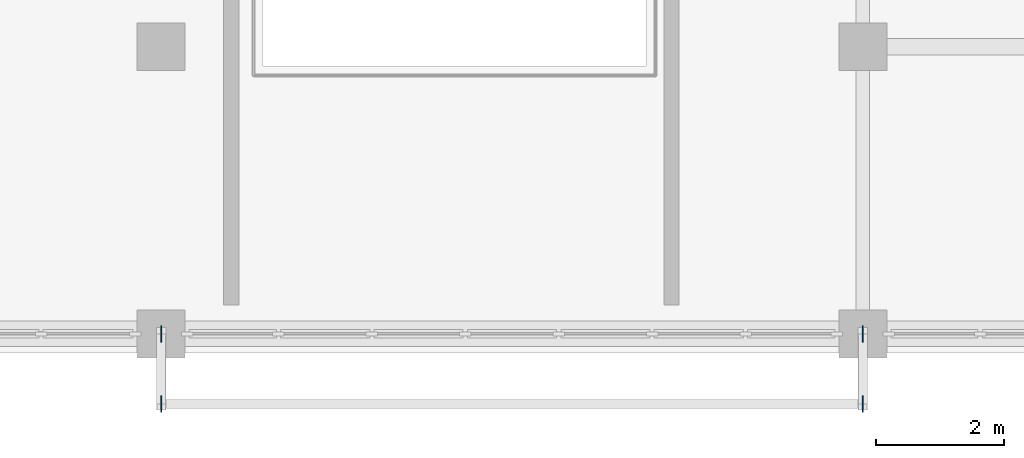
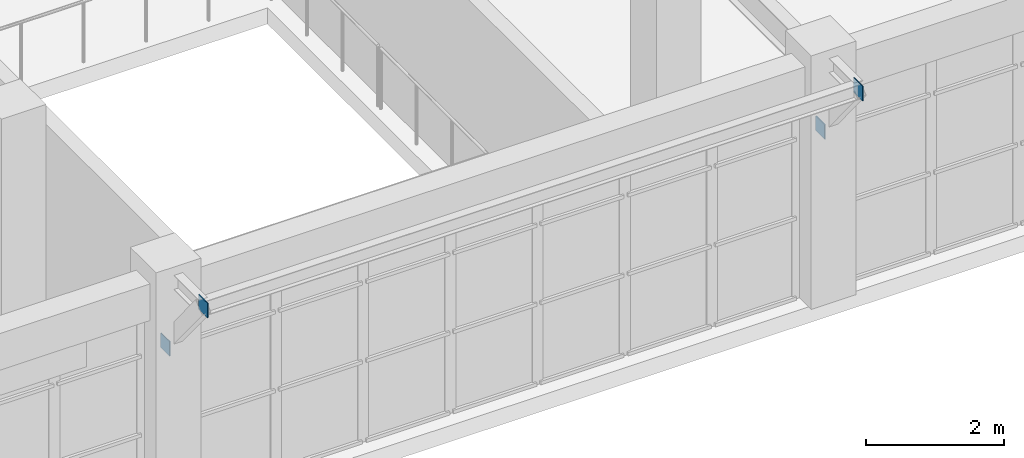
# One storey, part 63 of 85: 4 plates.
"""IFC4 building model written with IfcOpenShell, lengths in metres."""

import ifcopenshell
import ifcopenshell.guid

model = None  # the IFC model being written
_history = None  # IfcOwnerHistory: only IFC2X3 demands one
_inside = {}  # id of a spatial element -> (the spatial element, [elements in it])
_under = {}  # id of a project, library or spatial element -> (it, [spatial elements below it])
_declared = {}  # id of a project -> (the project, [libraries it declares])
_typed = {}  # id of a type object -> (the type object, [elements of that type])
_made_of = {}  # id of a material, layer set ... -> (it, [elements and type objects made of it])


def new_model(schema):
    """Start an empty IFC model of exactly this schema.

    Asked for "IFC4X3", IfcOpenShell would pick the latest addendum, in which some entities
    have other attributes; the version numbers below select the first issue.
    IFC2X3 requires an IfcOwnerHistory on every rooted entity: one is made here for all.
    """
    global model, _history
    if schema == "IFC4X3":
        model = ifcopenshell.file(schema_version=(4, 3, 0, 0))
    else:
        model = ifcopenshell.file(schema=schema)
    _inside.clear()
    _under.clear()
    _declared.clear()
    _typed.clear()
    _made_of.clear()
    _history = None
    if model.schema == "IFC2X3":
        org = make("IfcOrganization", Name="unknown")
        user = make(
            "IfcPersonAndOrganization",
            ThePerson=make("IfcPerson", FamilyName="unknown"),
            TheOrganization=org,
        )
        app = make(
            "IfcApplication",
            ApplicationDeveloper=org,
            Version="unknown",
            ApplicationFullName="unknown",
            ApplicationIdentifier="unknown",
        )
        _history = make(
            "IfcOwnerHistory",
            OwningUser=user,
            OwningApplication=app,
            ChangeAction="ADDED",
            CreationDate=0,
        )
    return model


def make(cls, **values):
    """One entity of the class cls with the attributes given. An attribute that is None is left unset."""
    return model.create_entity(
        cls, **{name: value for name, value in values.items() if value is not None}
    )


def rooted(cls, **values):
    """An entity with a GlobalId (a new one), such as an element, a storey or a relation."""
    return make(cls, GlobalId=ifcopenshell.guid.new(), OwnerHistory=_history, **values)


def si_unit(unit_type, name, prefix=None):
    """IfcSIUnit, for example si_unit("LENGTHUNIT", "METRE", prefix="MILLI")."""
    return make("IfcSIUnit", UnitType=unit_type, Prefix=prefix, Name=name)


def assignment(units):
    """IfcUnitAssignment: the units of a project."""
    return None if units is None else make("IfcUnitAssignment", Units=units)


def point(xyz):
    """IfcCartesianPoint."""
    return None if xyz is None else make("IfcCartesianPoint", Coordinates=xyz)


def direction(xyz):
    """IfcDirection."""
    return None if xyz is None else make("IfcDirection", DirectionRatios=xyz)


def frame(location, z_axis=None, x_axis=None):
    """IfcAxis2Placement3D, a coordinate frame: its origin and axes. An axis left out is left unset."""
    return make(
        "IfcAxis2Placement3D",
        Location=point(location),
        Axis=direction(z_axis),
        RefDirection=direction(x_axis),
    )


def frame_2d(location, x_axis=None):
    """IfcAxis2Placement2D, a coordinate frame in the plane: its origin and x axis."""
    return make(
        "IfcAxis2Placement2D", Location=point(location), RefDirection=direction(x_axis)
    )


def origin():
    """The frame at (0, 0, 0) with its axes left unset."""
    return frame((0.0, 0.0, 0.0))


def origin_2d():
    """The frame at (0, 0) in the plane with its x axis left unset."""
    return frame_2d((0.0, 0.0))


def place(relative_to, where):
    """IfcLocalPlacement: puts the frame where relative to a parent placement (None: the world)."""
    return make(
        "IfcLocalPlacement", PlacementRelTo=relative_to, RelativePlacement=where
    )


def context(
    kind, dimensions, precision=None, world=None, true_north=None, identifier=None
):
    """IfcGeometricRepresentationContext, for example the 3D "Model" context."""
    return make(
        "IfcGeometricRepresentationContext",
        ContextIdentifier=identifier,
        ContextType=kind,
        CoordinateSpaceDimension=dimensions,
        Precision=precision,
        WorldCoordinateSystem=world,
        TrueNorth=true_north,
    )


def subcontext(parent, identifier, kind, view, scale=None):
    """IfcGeometricRepresentationSubContext, for example "Body" below "Model"."""
    return make(
        "IfcGeometricRepresentationSubContext",
        ContextIdentifier=identifier,
        ContextType=kind,
        ParentContext=parent,
        TargetScale=scale,
        TargetView=view,
    )


def project(units=None, contexts=None):
    """IfcProject with its units and contexts."""
    return rooted(
        "IfcProject",
        Name="project",
        RepresentationContexts=contexts,
        UnitsInContext=assignment(units),
    )


def spatial(cls, under=None, at=None, **own):
    """A site, building, storey or space (cls), placed at a placement, below another one or the project."""
    s = rooted(cls, ObjectPlacement=at, **own)
    if under is not None:
        _under.setdefault(under.id(), (under, []))[1].append(s)
    return s


def profile(cls, at=None, kind="AREA", **sizes):
    """A parametric profile (cls). Its sizes go by their IFC names, for example OverallWidth=200.0."""
    return make(cls, ProfileType=kind, Position=at, **sizes)


def rectangle(**sizes):
    """IfcRectangleProfileDef."""
    return profile("IfcRectangleProfileDef", **sizes)


def extrude(swept, where, along, depth):
    """IfcExtrudedAreaSolid: the profile swept, set in the frame where, extruded along a direction by depth."""
    return make(
        "IfcExtrudedAreaSolid",
        SweptArea=swept,
        Position=where,
        ExtrudedDirection=direction(along),
        Depth=depth,
    )


def shape(context_of_items, identifier, shape_type, items):
    """IfcShapeRepresentation: the items that make up one representation, for example the "Body"."""
    return make(
        "IfcShapeRepresentation",
        ContextOfItems=context_of_items,
        RepresentationIdentifier=identifier,
        RepresentationType=shape_type,
        Items=items,
    )


def material(Name=None, Category=None):
    """IfcMaterial."""
    return make("IfcMaterial", Name=Name, Category=Category)


def layer(
    of_material, thickness, ventilated=None, Name=None, Category=None, Priority=None
):
    """IfcMaterialLayer: one layer of a wall or slab, of a material (None: an air gap)."""
    return make(
        "IfcMaterialLayer",
        Material=of_material,
        LayerThickness=thickness,
        IsVentilated=ventilated,
        Name=Name,
        Category=Category,
        Priority=Priority,
    )


def layer_set(layers, Name=None):
    """IfcMaterialLayerSet."""
    return make("IfcMaterialLayerSet", MaterialLayers=layers, LayerSetName=Name)


def made_of(thing, what):
    """Note that an element or type object is made of a material, layer set ...; save() writes the relation."""
    if what is not None:
        _made_of.setdefault(what.id(), (what, []))[1].append(thing)
    return thing


def type_object(cls, material=None, **own):
    """A type object (cls), such as IfcWallType, which elements share."""
    return made_of(rooted(cls, **own), material)


def element(
    cls,
    number,
    at=None,
    inside=None,
    cuts=None,
    type_object=None,
    material=None,
    context=None,
    identifier="Body",
    shape_type=None,
    held_by="IfcProductDefinitionShape",
    body=None,
    shapes=None,
    **own,
):
    """One element of the class cls, such as IfcWall. Its Tag is "e" and its number.

    at: its placement. inside: the storey or other place that contains it. cuts: it is an
    opening in that element (IfcRelVoidsElement). A single representation is given by context,
    identifier, shape_type and body (its items); several are given by shapes. held_by: the class
    of the entity that holds the representations. save() writes the other relations.
    """
    e = rooted(cls, Tag="e%d" % number, ObjectPlacement=at, **own)
    if body is not None:
        shapes = [shape(context, identifier, shape_type, body)]
    if shapes is not None:
        e.Representation = make(held_by, Representations=shapes)
    if inside is not None:
        _inside.setdefault(inside.id(), (inside, []))[1].append(e)
    if cuts is not None:
        rooted(
            "IfcRelVoidsElement", RelatingBuildingElement=cuts, RelatedOpeningElement=e
        )
    if type_object is not None:
        _typed.setdefault(type_object.id(), (type_object, []))[1].append(e)
    return made_of(e, material)


def aggregate(whole, parts):
    """IfcRelAggregates: a whole, such as a stair, and the parts it consists of."""
    return rooted("IfcRelAggregates", RelatingObject=whole, RelatedObjects=parts)


def save(model, path):
    """Write the relations noted so far, then the file.

    IfcRelAggregates (storeys below a building ...), IfcRelContainedInSpatialStructure (elements
    in a storey), IfcRelDefinesByType, IfcRelAssociatesMaterial and IfcRelDeclares: one each for
    every whole, place, type object, material and project.
    """
    for whole, parts in _under.values():
        aggregate(whole, parts)
    for where, things in _inside.values():
        rooted(
            "IfcRelContainedInSpatialStructure",
            RelatedElements=things,
            RelatingStructure=where,
        )
    for kind, things in _typed.values():
        rooted("IfcRelDefinesByType", RelatedObjects=things, RelatingType=kind)
    for what, things in _made_of.values():
        rooted("IfcRelAssociatesMaterial", RelatedObjects=things, RelatingMaterial=what)
    for by, libraries in _declared.values():
        rooted("IfcRelDeclares", RelatingContext=by, RelatedDefinitions=libraries)
    model.write(path)


model = new_model("IFC4")

# Units and contexts
model_context = context("Model", 3, precision=1e-05, world=origin(), true_north=direction((0.0, 1.0)))
body_context = subcontext(model_context, "Body", "Model", "MODEL_VIEW")
ifc_project = project(units=[si_unit("LENGTHUNIT", "METRE"), si_unit("AREAUNIT", "SQUARE_METRE"), si_unit("VOLUMEUNIT", "CUBIC_METRE"), si_unit("PLANEANGLEUNIT", "RADIAN"), si_unit("MASSUNIT", "GRAM", prefix="KILO")], contexts=[model_context])

# Site, building, storey
site_placement = place(None, origin())
site = spatial("IfcSite", under=ifc_project, at=site_placement, CompositionType="ELEMENT")
building_placement = place(site_placement, origin())
building = spatial("IfcBuilding", under=site, at=building_placement, Name="Candilejo Ridge Gondola Terminal", CompositionType="ELEMENT")
storey_placement = place(building_placement, frame((0.0, 0.0, 4.5)))
storey = spatial("IfcBuildingStorey", under=building, at=storey_placement, Name="L01", CompositionType="ELEMENT", Elevation=4.5)

# Plates
ifc_material = material(Name="Steel ASTM A572 Grade 50", Category="steel")
ifc_layer = layer(ifc_material, 0.01611328125)
ifc_layer_set = layer_set([ifc_layer], Name="STR-NODE-PLATE-260X260X16")
plate_type = type_object("IfcPlateType", Name="STR-NODE-PLATE-260X260X16", PredefinedType="USERDEFINED", material=ifc_layer_set)
for number, where, z_axis, x_axis, name in (
    (1, (150.0, 6.300048828125, 2.7412109375), (0.0, 0.0, 1.0), (1.0, 0.0, 0.0), "Canopy strut gusset plate 021"),
    (2, (150.0, 5.199951171875, 4.0908203125), (0.0, 0.0, 1.0), (1.0, 0.0, 0.0), "Canopy strut gusset plate 022"),
    (3, (161.0, 6.300048828125, 2.7412109375), (0.0, 0.0, 1.0), (1.0, 0.0, 0.0), "Canopy strut gusset plate 023"),
    (4, (161.0, 5.199951171875, 4.0908203125), (0.0, 0.0, 1.0), (1.0, 0.0, 0.0), "Canopy strut gusset plate 024"),
):
    element("IfcPlate", number, at=place(storey_placement, frame(where, z_axis=z_axis, x_axis=x_axis)), inside=storey, type_object=plate_type, Name=name, ObjectType="NODE PLATE", PredefinedType="USERDEFINED", context=body_context, shape_type="SweptSolid", body=[
        extrude(rectangle(XDim=0.01611328125, YDim=0.260009765625, at=origin_2d()), origin(), (0.0, 0.0, 1.0), 0.260009765625),
    ])

save(model, "model.ifc")
